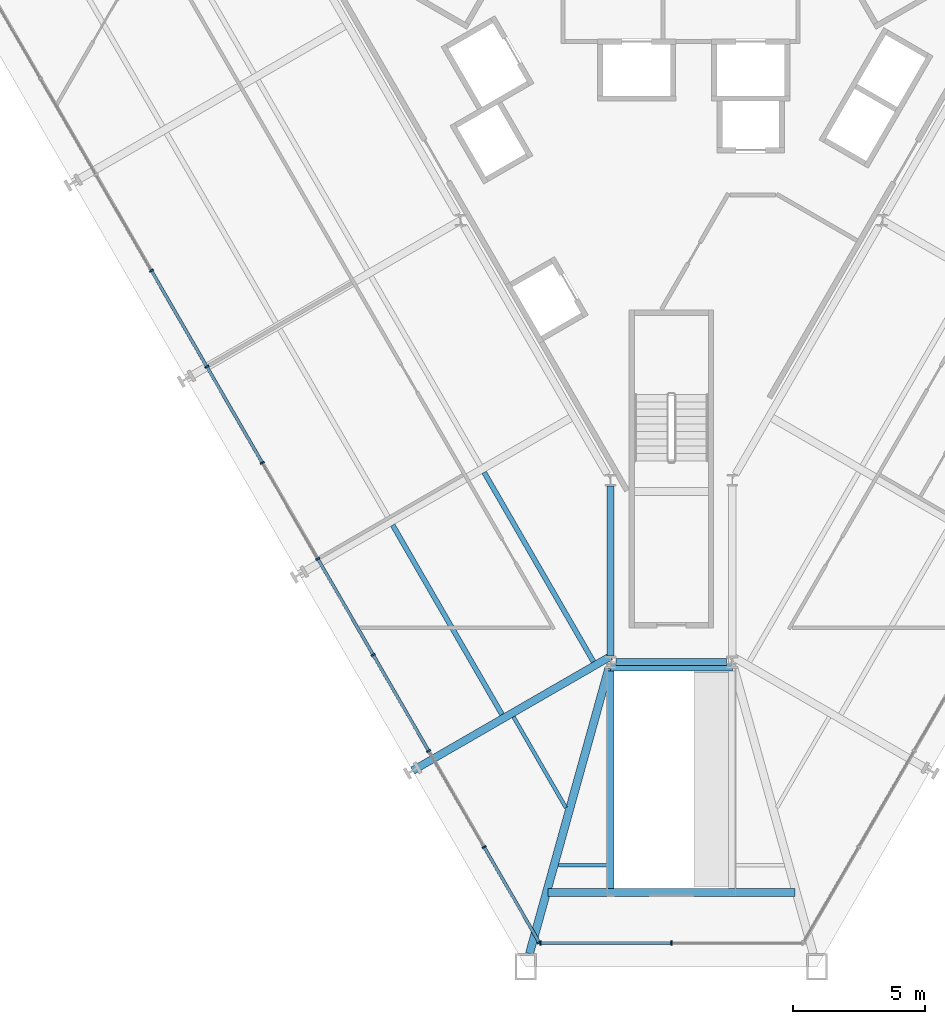
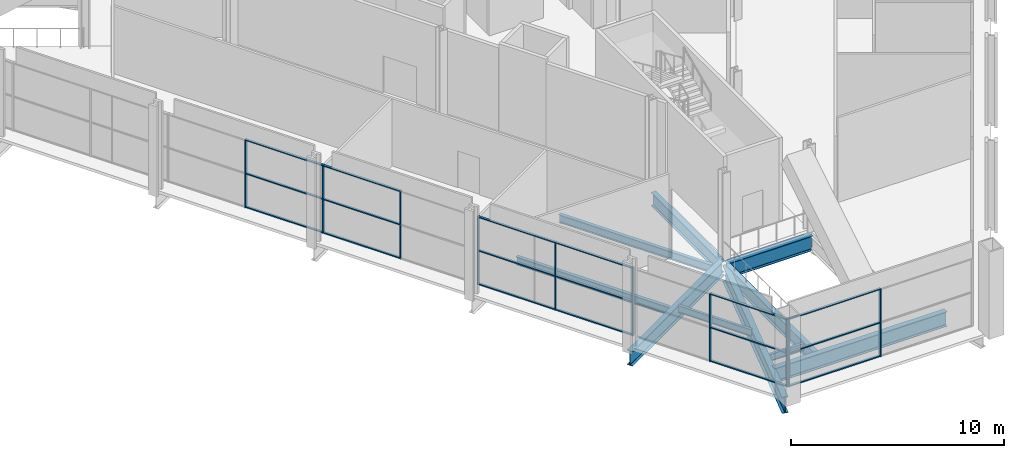
# One storey, part 2 of 20: 28 members, 11 beams, 2 elements without a shape of their own.
"""IFC4 building model written with IfcOpenShell, lengths in metres."""

from ifc_helpers import new_model, si_unit, direction, frame, origin, origin_2d, place, context, subcontext, project, spatial, rectangle, i_section, extrude, material, layer, layer_set, material_profile, profile_set, type_object, element, aggregate, save


model = new_model("IFC4")

# Units and contexts
model_context = context("Model", 3, precision=1e-05, world=origin(), true_north=direction((0.0, 1.0)))
body_context = subcontext(model_context, "Body", "Model", "MODEL_VIEW")
ifc_project = project(units=[si_unit("LENGTHUNIT", "METRE"), si_unit("AREAUNIT", "SQUARE_METRE"), si_unit("VOLUMEUNIT", "CUBIC_METRE"), si_unit("PLANEANGLEUNIT", "RADIAN"), si_unit("MASSUNIT", "GRAM", prefix="KILO")], contexts=[model_context])

# Site, building, storey
site_placement = place(None, origin())
site = spatial("IfcSite", under=ifc_project, at=site_placement, CompositionType="ELEMENT")
building_placement = place(site_placement, origin())
building = spatial("IfcBuilding", under=site, at=building_placement, Name="Verrane Prism Tower", CompositionType="ELEMENT")
storey_placement = place(building_placement, frame((0.0, 0.0, 17.39990234375)))
storey = spatial("IfcBuildingStorey", under=building, at=storey_placement, Name="L02", CompositionType="ELEMENT", Elevation=17.39990234375)

# Curtain wall, members
ifc_material_1 = material(Name="Aluminium and glass curtain wall", Category="aluminium")
ifc_layer = layer(ifc_material_1, 0.199951171875)
ifc_layer_set = layer_set([ifc_layer], Name="CWB-1 retail curtain wall")
curtain_wall_type = type_object("IfcCurtainWallType", Name="CWB-1 retail curtain wall", PredefinedType="NOTDEFINED", material=ifc_layer_set)
curtain_wall_1_placement = place(storey_placement, origin())
curtain_wall_1 = element("IfcCurtainWall", 1, at=curtain_wall_1_placement, inside=storey, type_object=curtain_wall_type, Name="Retail curtain wall L02 4", PredefinedType="NOTDEFINED")
ifc_material_2 = material(Name="Aluminium", Category="aluminium")
ifc_material_profile_1 = material_profile(ifc_material_2, rectangle(XDim=0.159912109375, YDim=0.06005859375, at=origin_2d()), Name="CWB-M 60x160 mullion")
ifc_profile_set_1 = profile_set([ifc_material_profile_1], Name="Aluminium")
member_type_1 = type_object("IfcMemberType", Name="CWB-M 60x160 mullion", PredefinedType="MULLION", material=ifc_profile_set_1)
member_1_placement = place(storey_placement, frame((-19.64990234375, -6.505126953125, 0.0), z_axis=(0.0, 0.0, 1.0), x_axis=(0.866025335097, 0.50000011897, 0.0)))
member_1 = element("IfcMember", 2, at=member_1_placement, type_object=member_type_1, Name="CWB24 mullion 6", PredefinedType="MULLION", context=body_context, shape_type="SweptSolid", body=[
    extrude(rectangle(XDim=0.159912109375, YDim=0.06005859375, at=origin_2d()), origin(), (0.0, 0.0, 1.0), 3.89013671875),
])
member_2_placement = place(storey_placement, frame((-17.554443359375, -10.135009765625, 0.0), z_axis=(0.0, 0.0, 1.0), x_axis=(0.866025335097, 0.50000011897, 0.0)))
member_2 = element("IfcMember", 3, at=member_2_placement, type_object=member_type_1, Name="CWB24 mullion 7", PredefinedType="MULLION", context=body_context, shape_type="SweptSolid", body=[
    extrude(rectangle(XDim=0.159912109375, YDim=0.06005859375, at=origin_2d()), origin(), (0.0, 0.0, 1.0), 3.89013671875),
])
member_3_placement = place(storey_placement, frame((-15.458740234375, -13.764892578125, 0.0), z_axis=(0.0, 0.0, 1.0), x_axis=(0.866025335097, 0.50000011897, 0.0)))
member_3 = element("IfcMember", 4, at=member_3_placement, type_object=member_type_1, Name="CWB24 mullion 8", PredefinedType="MULLION", context=body_context, shape_type="SweptSolid", body=[
    extrude(rectangle(XDim=0.159912109375, YDim=0.06005859375, at=origin_2d()), origin(), (0.0, 0.0, 1.0), 3.89013671875),
])
member_4_placement = place(storey_placement, frame((-13.363037109375, -17.39453125, 0.0), z_axis=(0.0, 0.0, 1.0), x_axis=(0.866025335097, 0.50000011897, 0.0)))
member_4 = element("IfcMember", 5, at=member_4_placement, type_object=member_type_1, Name="CWB24 mullion 9", PredefinedType="MULLION", context=body_context, shape_type="SweptSolid", body=[
    extrude(rectangle(XDim=0.159912109375, YDim=0.06005859375, at=origin_2d()), origin(), (0.0, 0.0, 1.0), 3.89013671875),
])
member_5_placement = place(storey_placement, frame((-11.267333984375, -21.0244140625, 0.0), z_axis=(0.0, 0.0, 1.0), x_axis=(0.866025335097, 0.50000011897, 0.0)))
member_5 = element("IfcMember", 6, at=member_5_placement, type_object=member_type_1, Name="CWB24 mullion 10", PredefinedType="MULLION", context=body_context, shape_type="SweptSolid", body=[
    extrude(rectangle(XDim=0.159912109375, YDim=0.06005859375, at=origin_2d()), origin(), (0.0, 0.0, 1.0), 3.89013671875),
])
member_6_placement = place(storey_placement, frame((-9.171630859375, -24.654052734375, 0.0), z_axis=(0.0, 0.0, 1.0), x_axis=(0.866025335097, 0.50000011897, 0.0)))
member_6 = element("IfcMember", 7, at=member_6_placement, type_object=member_type_1, Name="CWB24 mullion 11", PredefinedType="MULLION", context=body_context, shape_type="SweptSolid", body=[
    extrude(rectangle(XDim=0.159912109375, YDim=0.06005859375, at=origin_2d()), origin(), (0.0, 0.0, 1.0), 3.89013671875),
])
member_7_placement = place(storey_placement, frame((-7.075927734375, -28.283935546875, 0.0), z_axis=(0.0, 0.0, 1.0), x_axis=(0.866025335097, 0.50000011897, 0.0)))
member_7 = element("IfcMember", 8, at=member_7_placement, type_object=member_type_1, Name="CWB24 mullion 12", PredefinedType="MULLION", context=body_context, shape_type="SweptSolid", body=[
    extrude(rectangle(XDim=0.159912109375, YDim=0.06005859375, at=origin_2d()), origin(), (0.0, 0.0, 1.0), 3.89013671875),
])
member_8_placement = place(storey_placement, frame((-4.995361328125, -31.8876953125, 0.0), z_axis=(0.0, 0.0, 1.0), x_axis=(0.866025335097, 0.50000011897, 0.0)))
member_8 = element("IfcMember", 9, at=member_8_placement, type_object=member_type_1, Name="CWB24 mullion 13", PredefinedType="MULLION", context=body_context, shape_type="SweptSolid", body=[
    extrude(rectangle(XDim=0.159912109375, YDim=0.06005859375, at=origin_2d()), origin(), (0.0, 0.0, 1.0), 3.89013671875),
])

curtain_wall_2_placement = place(storey_placement, origin())
curtain_wall_2 = element("IfcCurtainWall", 10, at=curtain_wall_2_placement, inside=storey, type_object=curtain_wall_type, Name="Retail curtain wall L02 5", PredefinedType="NOTDEFINED")
member_9_placement = place(storey_placement, frame((-4.950439453125, -31.913818359375, 0.0), z_axis=(0.0, 0.0, 1.0), x_axis=(0.0, 1.0, 0.0)))
member_9 = element("IfcMember", 11, at=member_9_placement, type_object=member_type_1, Name="CWB25 mullion 1", PredefinedType="MULLION", context=body_context, shape_type="SweptSolid", body=[
    extrude(rectangle(XDim=0.159912109375, YDim=0.06005859375, at=origin_2d()), origin(), (0.0, 0.0, 1.0), 3.89013671875),
])
member_10_placement = place(storey_placement, frame((0.0, -31.913818359375, 0.0), z_axis=(0.0, 0.0, 1.0), x_axis=(0.0, 1.0, 0.0)))
member_10 = element("IfcMember", 12, at=member_10_placement, type_object=member_type_1, Name="CWB25 mullion 2", PredefinedType="MULLION", context=body_context, shape_type="SweptSolid", body=[
    extrude(rectangle(XDim=0.159912109375, YDim=0.06005859375, at=origin_2d()), origin(), (0.0, 0.0, 1.0), 3.89013671875),
])

# Member
ifc_material_3 = material(Name="Aluminium", Category="aluminium")
ifc_material_profile_2 = material_profile(ifc_material_3, rectangle(XDim=0.1201171875, YDim=0.06005859375, at=origin_2d()), Name="CWB-T 60x120 transom")
ifc_profile_set_2 = profile_set([ifc_material_profile_2], Name="Aluminium")
member_type_2 = type_object("IfcMemberType", Name="CWB-T 60x120 transom", PredefinedType="USERDEFINED", material=ifc_profile_set_2)
member_11_placement = place(storey_placement, frame((-19.635009765625, -6.53125, 0.030029296875), z_axis=(0.499996977546, -0.866027148792, 0.0), x_axis=(0.866027148792, 0.499996977546, 0.0)))
member_11 = element("IfcMember", 13, at=member_11_placement, type_object=member_type_2, Name="CWB24 transom 6.1", ObjectType="TRANSOM", PredefinedType="USERDEFINED", context=body_context, shape_type="SweptSolid", body=[
    extrude(rectangle(XDim=0.1201171875, YDim=0.06005859375, at=origin_2d()), origin(), (0.0, 0.0, 1.0), 4.13134765625),
])

member_12_placement = place(storey_placement, frame((-19.635009765625, -6.53125, 1.945068359375), z_axis=(0.499996977546, -0.866027148792, 0.0), x_axis=(0.866027148792, 0.499996977546, 0.0)))
member_12 = element("IfcMember", 14, at=member_12_placement, type_object=member_type_2, Name="CWB24 transom 6.2", ObjectType="TRANSOM", PredefinedType="USERDEFINED", context=body_context, shape_type="SweptSolid", body=[
    extrude(rectangle(XDim=0.1201171875, YDim=0.06005859375, at=origin_2d()), origin(), (0.0, 0.0, 1.0), 4.13134765625),
])

member_13_placement = place(storey_placement, frame((-19.635009765625, -6.53125, 3.860107421875), z_axis=(0.499996977546, -0.866027148792, 0.0), x_axis=(0.866027148792, 0.499996977546, 0.0)))
member_13 = element("IfcMember", 15, at=member_13_placement, type_object=member_type_2, Name="CWB24 transom 6.3", ObjectType="TRANSOM", PredefinedType="USERDEFINED", context=body_context, shape_type="SweptSolid", body=[
    extrude(rectangle(XDim=0.1201171875, YDim=0.06005859375, at=origin_2d()), origin(), (0.0, 0.0, 1.0), 4.13134765625),
])

member_14_placement = place(storey_placement, frame((-17.539306640625, -10.160888671875, 0.030029296875), z_axis=(0.499996977546, -0.866027148792, 0.0), x_axis=(0.866027148792, 0.499996977546, 0.0)))
member_14 = element("IfcMember", 16, at=member_14_placement, type_object=member_type_2, Name="CWB24 transom 7.1", ObjectType="TRANSOM", PredefinedType="USERDEFINED", context=body_context, shape_type="SweptSolid", body=[
    extrude(rectangle(XDim=0.1201171875, YDim=0.06005859375, at=origin_2d()), origin(), (0.0, 0.0, 1.0), 4.13134765625),
])

member_15_placement = place(storey_placement, frame((-17.539306640625, -10.160888671875, 1.945068359375), z_axis=(0.499996977546, -0.866027148792, 0.0), x_axis=(0.866027148792, 0.499996977546, 0.0)))
member_15 = element("IfcMember", 17, at=member_15_placement, type_object=member_type_2, Name="CWB24 transom 7.2", ObjectType="TRANSOM", PredefinedType="USERDEFINED", context=body_context, shape_type="SweptSolid", body=[
    extrude(rectangle(XDim=0.1201171875, YDim=0.06005859375, at=origin_2d()), origin(), (0.0, 0.0, 1.0), 4.13134765625),
])

member_16_placement = place(storey_placement, frame((-17.539306640625, -10.160888671875, 3.860107421875), z_axis=(0.499996977546, -0.866027148792, 0.0), x_axis=(0.866027148792, 0.499996977546, 0.0)))
member_16 = element("IfcMember", 18, at=member_16_placement, type_object=member_type_2, Name="CWB24 transom 7.3", ObjectType="TRANSOM", PredefinedType="USERDEFINED", context=body_context, shape_type="SweptSolid", body=[
    extrude(rectangle(XDim=0.1201171875, YDim=0.06005859375, at=origin_2d()), origin(), (0.0, 0.0, 1.0), 4.13134765625),
])

member_17_placement = place(storey_placement, frame((-13.347900390625, -17.420654296875, 0.030029296875), z_axis=(0.499978243488, -0.866037964548, 0.0), x_axis=(0.866037964548, 0.499978243488, 0.0)))
member_17 = element("IfcMember", 19, at=member_17_placement, type_object=member_type_2, Name="CWB24 transom 9.1", ObjectType="TRANSOM", PredefinedType="USERDEFINED", context=body_context, shape_type="SweptSolid", body=[
    extrude(rectangle(XDim=0.1201171875, YDim=0.06005859375, at=origin_2d()), origin(), (0.0, 0.0, 1.0), 4.131103515625),
])

member_18_placement = place(storey_placement, frame((-13.347900390625, -17.420654296875, 1.945068359375), z_axis=(0.499978243488, -0.866037964548, 0.0), x_axis=(0.866037964548, 0.499978243488, 0.0)))
member_18 = element("IfcMember", 20, at=member_18_placement, type_object=member_type_2, Name="CWB24 transom 9.2", ObjectType="TRANSOM", PredefinedType="USERDEFINED", context=body_context, shape_type="SweptSolid", body=[
    extrude(rectangle(XDim=0.1201171875, YDim=0.06005859375, at=origin_2d()), origin(), (0.0, 0.0, 1.0), 4.131103515625),
])

member_19_placement = place(storey_placement, frame((-13.347900390625, -17.420654296875, 3.860107421875), z_axis=(0.499978243488, -0.866037964548, 0.0), x_axis=(0.866037964548, 0.499978243488, 0.0)))
member_19 = element("IfcMember", 21, at=member_19_placement, type_object=member_type_2, Name="CWB24 transom 9.3", ObjectType="TRANSOM", PredefinedType="USERDEFINED", context=body_context, shape_type="SweptSolid", body=[
    extrude(rectangle(XDim=0.1201171875, YDim=0.06005859375, at=origin_2d()), origin(), (0.0, 0.0, 1.0), 4.131103515625),
])

member_20_placement = place(storey_placement, frame((-11.25244140625, -21.05029296875, 0.030029296875), z_axis=(0.499996977546, -0.866027148792, 0.0), x_axis=(0.866027148792, 0.499996977546, 0.0)))
member_20 = element("IfcMember", 22, at=member_20_placement, type_object=member_type_2, Name="CWB24 transom 10.1", ObjectType="TRANSOM", PredefinedType="USERDEFINED", context=body_context, shape_type="SweptSolid", body=[
    extrude(rectangle(XDim=0.1201171875, YDim=0.06005859375, at=origin_2d()), origin(), (0.0, 0.0, 1.0), 4.13134765625),
])

member_21_placement = place(storey_placement, frame((-11.25244140625, -21.05029296875, 1.945068359375), z_axis=(0.499996977546, -0.866027148792, 0.0), x_axis=(0.866027148792, 0.499996977546, 0.0)))
member_21 = element("IfcMember", 23, at=member_21_placement, type_object=member_type_2, Name="CWB24 transom 10.2", ObjectType="TRANSOM", PredefinedType="USERDEFINED", context=body_context, shape_type="SweptSolid", body=[
    extrude(rectangle(XDim=0.1201171875, YDim=0.06005859375, at=origin_2d()), origin(), (0.0, 0.0, 1.0), 4.13134765625),
])

member_22_placement = place(storey_placement, frame((-11.25244140625, -21.05029296875, 3.860107421875), z_axis=(0.499996977546, -0.866027148792, 0.0), x_axis=(0.866027148792, 0.499996977546, 0.0)))
member_22 = element("IfcMember", 24, at=member_22_placement, type_object=member_type_2, Name="CWB24 transom 10.3", ObjectType="TRANSOM", PredefinedType="USERDEFINED", context=body_context, shape_type="SweptSolid", body=[
    extrude(rectangle(XDim=0.1201171875, YDim=0.06005859375, at=origin_2d()), origin(), (0.0, 0.0, 1.0), 4.13134765625),
])

member_23_placement = place(storey_placement, frame((-7.06103515625, -28.309814453125, 0.030029296875), z_axis=(0.499961200281, -0.866047803654, 0.0), x_axis=(0.866047803654, 0.499961200281, 0.0)))
member_23 = element("IfcMember", 25, at=member_23_placement, type_object=member_type_2, Name="CWB24 transom 12.1", ObjectType="TRANSOM", PredefinedType="USERDEFINED", context=body_context, shape_type="SweptSolid", body=[
    extrude(rectangle(XDim=0.1201171875, YDim=0.06005859375, at=origin_2d()), origin(), (0.0, 0.0, 1.0), 4.101318359375),
])

member_24_placement = place(storey_placement, frame((-7.06103515625, -28.309814453125, 1.945068359375), z_axis=(0.499961200281, -0.866047803654, 0.0), x_axis=(0.866047803654, 0.499961200281, 0.0)))
member_24 = element("IfcMember", 26, at=member_24_placement, type_object=member_type_2, Name="CWB24 transom 12.2", ObjectType="TRANSOM", PredefinedType="USERDEFINED", context=body_context, shape_type="SweptSolid", body=[
    extrude(rectangle(XDim=0.1201171875, YDim=0.06005859375, at=origin_2d()), origin(), (0.0, 0.0, 1.0), 4.101318359375),
])

member_25_placement = place(storey_placement, frame((-7.06103515625, -28.309814453125, 3.860107421875), z_axis=(0.499961200281, -0.866047803654, 0.0), x_axis=(0.866047803654, 0.499961200281, 0.0)))
member_25 = element("IfcMember", 27, at=member_25_placement, type_object=member_type_2, Name="CWB24 transom 12.3", ObjectType="TRANSOM", PredefinedType="USERDEFINED", context=body_context, shape_type="SweptSolid", body=[
    extrude(rectangle(XDim=0.1201171875, YDim=0.06005859375, at=origin_2d()), origin(), (0.0, 0.0, 1.0), 4.101318359375),
])

aggregate(curtain_wall_1, [member_1, member_2, member_3, member_4, member_5, member_6, member_7, member_8, member_11, member_12, member_13, member_14, member_15, member_16, member_17, member_18, member_19, member_20, member_21, member_22, member_23, member_24, member_25])

member_26_placement = place(storey_placement, frame((-4.92041015625, -31.913818359375, 0.030029296875), z_axis=(1.0, 0.0, 0.0), x_axis=(0.0, 1.0, 0.0)))
member_26 = element("IfcMember", 28, at=member_26_placement, type_object=member_type_2, Name="CWB25 transom 1.1", ObjectType="TRANSOM", PredefinedType="USERDEFINED", context=body_context, shape_type="SweptSolid", body=[
    extrude(rectangle(XDim=0.1201171875, YDim=0.06005859375, at=origin_2d()), origin(), (0.0, 0.0, 1.0), 4.890380859375),
])

member_27_placement = place(storey_placement, frame((-4.92041015625, -31.913818359375, 1.945068359375), z_axis=(1.0, 0.0, 0.0), x_axis=(0.0, 1.0, 0.0)))
member_27 = element("IfcMember", 29, at=member_27_placement, type_object=member_type_2, Name="CWB25 transom 1.2", ObjectType="TRANSOM", PredefinedType="USERDEFINED", context=body_context, shape_type="SweptSolid", body=[
    extrude(rectangle(XDim=0.1201171875, YDim=0.06005859375, at=origin_2d()), origin(), (0.0, 0.0, 1.0), 4.890380859375),
])

member_28_placement = place(storey_placement, frame((-4.92041015625, -31.913818359375, 3.860107421875), z_axis=(1.0, 0.0, 0.0), x_axis=(0.0, 1.0, 0.0)))
member_28 = element("IfcMember", 30, at=member_28_placement, type_object=member_type_2, Name="CWB25 transom 1.3", ObjectType="TRANSOM", PredefinedType="USERDEFINED", context=body_context, shape_type="SweptSolid", body=[
    extrude(rectangle(XDim=0.1201171875, YDim=0.06005859375, at=origin_2d()), origin(), (0.0, 0.0, 1.0), 4.890380859375),
])

aggregate(curtain_wall_2, [member_9, member_10, member_26, member_27, member_28])

# Beams
ifc_material_4 = material(Name="Steel A992", Category="steel")
ifc_material_profile_3 = material_profile(ifc_material_4, i_section(OverallWidth=0.2666015625, OverallDepth=0.76708984375, WebThickness=0.014892578125, FlangeThickness=0.023681640625, FilletRadius=0.0166015625, at=origin_2d()), Name="W30x124")
ifc_profile_set_3 = profile_set([ifc_material_profile_3], Name="Steel A992")
beam_type_1 = type_object("IfcBeamType", Name="Core ring girder W30x124", PredefinedType="BEAM", material=ifc_profile_set_3)
beam_1_placement = place(storey_placement, frame((-2.300048828125, -14.63720703125, -0.63330078125), z_axis=(0.0, -1.0, 0.0), x_axis=(1.0, 0.0, 0.0)))
element("IfcBeam", 31, at=beam_1_placement, inside=storey, type_object=beam_type_1, Name="Core ring girder L02", PredefinedType="BEAM", context=body_context, shape_type="SweptSolid", body=[
    extrude(i_section(OverallWidth=0.2666015625, OverallDepth=0.76708984375, WebThickness=0.014892578125, FlangeThickness=0.023681640625, FilletRadius=0.0166015625, at=origin_2d()), origin(), (0.0, 0.0, 1.0), 6.42529296875),
])
beam_2_placement = place(storey_placement, frame((-2.087890625, -21.300048828125, -0.63330078125), z_axis=(1.0, 0.0, 0.0), x_axis=(0.0, 1.0, 0.0)))
element("IfcBeam", 32, at=beam_2_placement, inside=storey, type_object=beam_type_1, Name="Core ring girder L02", PredefinedType="BEAM", context=body_context, shape_type="SweptSolid", body=[
    extrude(i_section(OverallWidth=0.2666015625, OverallDepth=0.76708984375, WebThickness=0.014892578125, FlangeThickness=0.023681640625, FilletRadius=0.0166015625, at=origin_2d()), origin(), (0.0, 0.0, 1.0), 4.17578125),
])
ifc_material_5 = material(Name="Steel A992", Category="steel")
ifc_material_profile_4 = material_profile(ifc_material_5, i_section(OverallWidth=0.307373046875, OverallDepth=0.927001953125, WebThickness=0.01953125, FlangeThickness=0.031982421875, FilletRadius=0.01904296875, at=origin_2d()), Name="W36x194")
ifc_profile_set_4 = profile_set([ifc_material_profile_4], Name="Steel A992")
beam_type_2 = type_object("IfcBeamType", Name="Corner girder W36x194", PredefinedType="BEAM", material=ifc_profile_set_4)
beam_3_placement = place(storey_placement, frame((-5.361083984375, -32.31005859375, -0.68359375), z_axis=(0.267873594468, 0.963454066049, 0.0), x_axis=(-0.963454066049, 0.267873594468, 0.0)))
element("IfcBeam", 33, at=beam_3_placement, inside=storey, type_object=beam_type_2, Name="Corner girder L02", PredefinedType="BEAM", context=body_context, shape_type="SweptSolid", body=[
    extrude(i_section(OverallWidth=0.307373046875, OverallDepth=0.927001953125, WebThickness=0.01953125, FlangeThickness=0.031982421875, FilletRadius=0.01904296875, at=origin_2d()), origin(), (0.0, 0.0, 1.0), 11.18115234375),
])
ifc_material_6 = material(Name="Steel A992", Category="steel")
ifc_material_profile_5 = material_profile(ifc_material_6, i_section(OverallWidth=0.140380859375, OverallDepth=0.40380859375, WebThickness=0.007080078125, FlangeThickness=0.01123046875, FilletRadius=0.01025390625, at=origin_2d()), Name="W16x31")
ifc_profile_set_5 = profile_set([ifc_material_profile_5], Name="Steel A992")
beam_type_3 = type_object("IfcBeamType", Name="Floor beam W16x31", PredefinedType="BEAM", material=ifc_profile_set_5)
beam_4_placement = place(storey_placement, frame((-3.9873046875, -26.795654296875, -0.36181640625), z_axis=(-0.499978641112, 0.866037734993, 0.0), x_axis=(-0.866037734993, -0.499978641112, 0.0)))
element("IfcBeam", 34, at=beam_4_placement, inside=storey, type_object=beam_type_3, Name="Floor beam L02", PredefinedType="BEAM", context=body_context, shape_type="SweptSolid", body=[
    extrude(i_section(OverallWidth=0.140380859375, OverallDepth=0.40380859375, WebThickness=0.007080078125, FlangeThickness=0.01123046875, FilletRadius=0.01025390625, at=origin_2d()), origin(), (0.0, 0.0, 1.0), 3.959716796875),
])
beam_5_placement = place(storey_placement, frame((-4.27392578125, -28.973388671875, -0.36181640625), z_axis=(1.0, 0.0, 0.0), x_axis=(0.0, 1.0, 0.0)))
element("IfcBeam", 35, at=beam_5_placement, inside=storey, type_object=beam_type_3, Name="Floor beam L02", PredefinedType="BEAM", context=body_context, shape_type="SweptSolid", body=[
    extrude(i_section(OverallWidth=0.140380859375, OverallDepth=0.40380859375, WebThickness=0.007080078125, FlangeThickness=0.01123046875, FilletRadius=0.01025390625, at=origin_2d()), origin(), (0.0, 0.0, 1.0), 1.84033203125),
])
ifc_material_7 = material(Name="Steel A992", Category="steel")
ifc_material_profile_6 = material_profile(ifc_material_7, i_section(OverallWidth=0.1904296875, OverallDepth=0.457275390625, WebThickness=0.009033203125, FlangeThickness=0.014404296875, FilletRadius=0.01025390625, at=origin_2d()), Name="W18x50")
ifc_profile_set_6 = profile_set([ifc_material_profile_6], Name="Steel A992")
beam_type_4 = type_object("IfcBeamType", Name="Floor beam W18x50", PredefinedType="BEAM", material=ifc_profile_set_6)
beam_6_placement = place(storey_placement, frame((-2.943603515625, -21.283203125, -0.388427734375), z_axis=(-0.500014123243, 0.866017249573, 0.0), x_axis=(-0.866017249573, -0.500014123243, 0.0)))
element("IfcBeam", 36, at=beam_6_placement, inside=storey, type_object=beam_type_4, Name="Floor beam L02", PredefinedType="BEAM", context=body_context, shape_type="SweptSolid", body=[
    extrude(i_section(OverallWidth=0.1904296875, OverallDepth=0.457275390625, WebThickness=0.009033203125, FlangeThickness=0.014404296875, FilletRadius=0.01025390625, at=origin_2d()), origin(), (0.0, 0.0, 1.0), 8.260009765625),
])
beam_7_placement = place(storey_placement, frame((-6.39892578125, -23.27880859375, -0.388427734375), z_axis=(-0.499996977546, 0.866027148792, 0.0), x_axis=(-0.866027148792, -0.499996977546, 0.0)))
element("IfcBeam", 37, at=beam_7_placement, inside=storey, type_object=beam_type_4, Name="Floor beam L02", PredefinedType="BEAM", context=body_context, shape_type="SweptSolid", body=[
    extrude(i_section(OverallWidth=0.1904296875, OverallDepth=0.457275390625, WebThickness=0.009033203125, FlangeThickness=0.014404296875, FilletRadius=0.01025390625, at=origin_2d()), origin(), (0.0, 0.0, 1.0), 8.2626953125),
])
ifc_material_8 = material(Name="Steel A992", Category="steel")
ifc_material_profile_7 = material_profile(ifc_material_8, i_section(OverallWidth=0.2919921875, OverallDepth=0.845703125, WebThickness=0.015380859375, FlangeThickness=0.0244140625, FilletRadius=0.017822265625, at=origin_2d()), Name="W33x141")
ifc_profile_set_7 = profile_set([ifc_material_profile_7], Name="Steel A992")
beam_type_5 = type_object("IfcBeamType", Name="Radial girder W33x141", PredefinedType="BEAM", material=ifc_profile_set_7)
beam_8_placement = place(storey_placement, frame((-9.780029296875, -25.39990234375, -0.642822265625), z_axis=(0.866023660206, 0.500003019955, 0.0), x_axis=(-0.500003019955, 0.866023660206, 0.0)))
element("IfcBeam", 38, at=beam_8_placement, inside=storey, type_object=beam_type_5, Name="Radial girder L02", PredefinedType="BEAM", context=body_context, shape_type="SweptSolid", body=[
    extrude(i_section(OverallWidth=0.2919921875, OverallDepth=0.845703125, WebThickness=0.015380859375, FlangeThickness=0.0244140625, FilletRadius=0.017822265625, at=origin_2d()), origin(), (0.0, 0.0, 1.0), 8.63720703125),
])
ifc_material_9 = material(Name="Steel A992", Category="steel")
ifc_material_profile_8 = material_profile(ifc_material_9, i_section(OverallWidth=0.2666015625, OverallDepth=0.76708984375, WebThickness=0.014892578125, FlangeThickness=0.023681640625, FilletRadius=0.0166015625, at=origin_2d()), Name="W30x124")
ifc_profile_set_8 = profile_set([ifc_material_profile_8], Name="Steel A992")
beam_type_6 = type_object("IfcBeamType", Name="Slab edge girder W30x124", PredefinedType="BEAM", material=ifc_profile_set_8)
beam_9_placement = place(storey_placement, frame((-2.300048828125, -21.6298828125, -0.54345703125), z_axis=(0.0, -1.0, 0.0), x_axis=(1.0, 0.0, 0.0)))
element("IfcBeam", 39, at=beam_9_placement, inside=storey, type_object=beam_type_6, Name="Slab edge girder L02", PredefinedType="BEAM", context=body_context, shape_type="SweptSolid", body=[
    extrude(i_section(OverallWidth=0.2666015625, OverallDepth=0.76708984375, WebThickness=0.014892578125, FlangeThickness=0.023681640625, FilletRadius=0.0166015625, at=origin_2d()), origin(), (0.0, 0.0, 1.0), 8.230224609375),
])
ifc_material_10 = material(Name="Steel A992", Category="steel")
ifc_material_profile_9 = material_profile(ifc_material_10, i_section(OverallWidth=0.2919921875, OverallDepth=0.845703125, WebThickness=0.015380859375, FlangeThickness=0.0244140625, FilletRadius=0.017822265625, at=origin_2d()), Name="W33x141")
ifc_profile_set_9 = profile_set([ifc_material_profile_9], Name="Steel A992")
beam_type_7 = type_object("IfcBeamType", Name="Slab edge girder W33x141", PredefinedType="BEAM", material=ifc_profile_set_9)
beam_10_placement = place(storey_placement, frame((-4.668701171875, -30.0, -0.582763671875), z_axis=(1.0, 0.0, 0.0), x_axis=(0.0, 1.0, 0.0)))
element("IfcBeam", 40, at=beam_10_placement, inside=storey, type_object=beam_type_7, Name="Slab edge girder L02", PredefinedType="BEAM", context=body_context, shape_type="SweptSolid", body=[
    extrude(i_section(OverallWidth=0.2919921875, OverallDepth=0.845703125, WebThickness=0.015380859375, FlangeThickness=0.0244140625, FilletRadius=0.017822265625, at=origin_2d()), origin(), (0.0, 0.0, 1.0), 9.33740234375),
])
beam_11_placement = place(storey_placement, frame((2.302734375, -21.489990234375, -0.582763671875), z_axis=(-1.0, 0.0, 0.0), x_axis=(0.0, -1.0, 0.0)))
element("IfcBeam", 41, at=beam_11_placement, inside=storey, type_object=beam_type_7, Name="Slab edge girder L02", PredefinedType="BEAM", context=body_context, shape_type="SweptSolid", body=[
    extrude(i_section(OverallWidth=0.2919921875, OverallDepth=0.845703125, WebThickness=0.015380859375, FlangeThickness=0.0244140625, FilletRadius=0.017822265625, at=origin_2d()), origin(), (0.0, 0.0, 1.0), 4.60546875),
])

save(model, "model.ifc")
